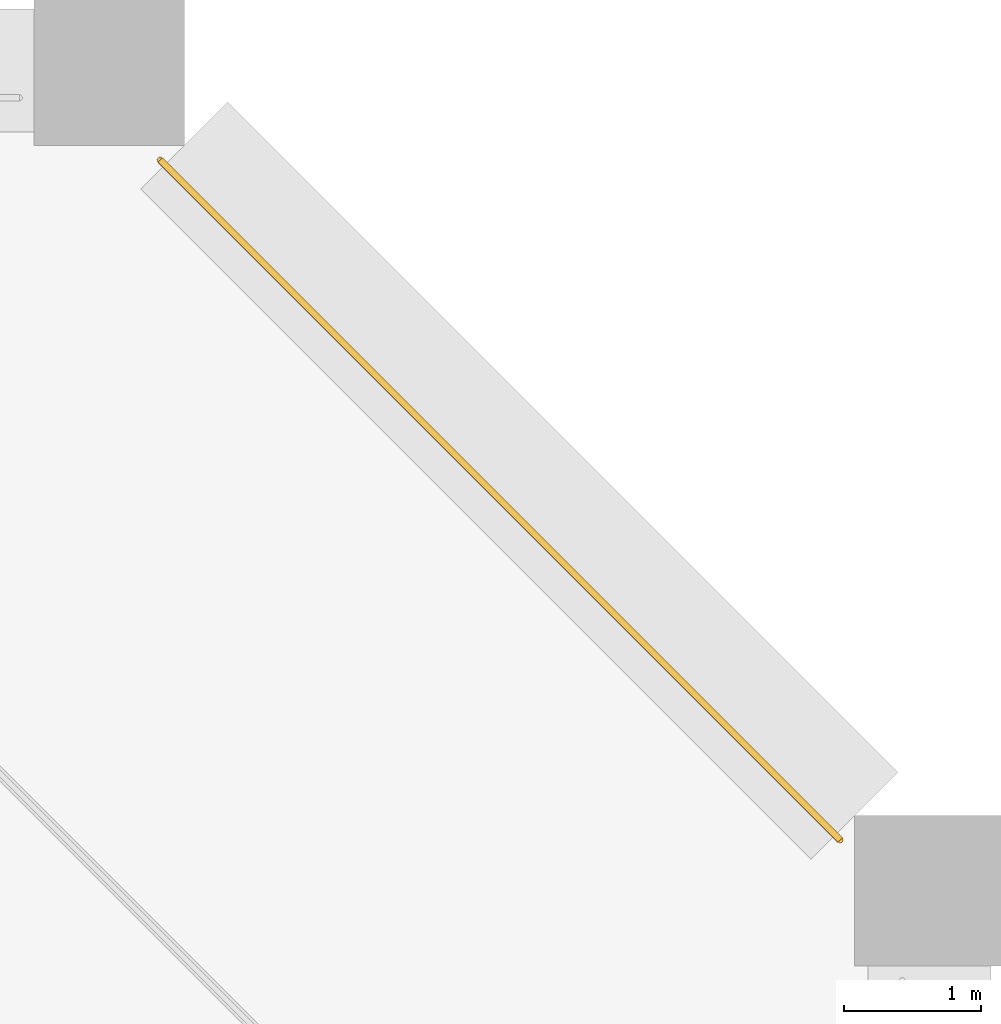
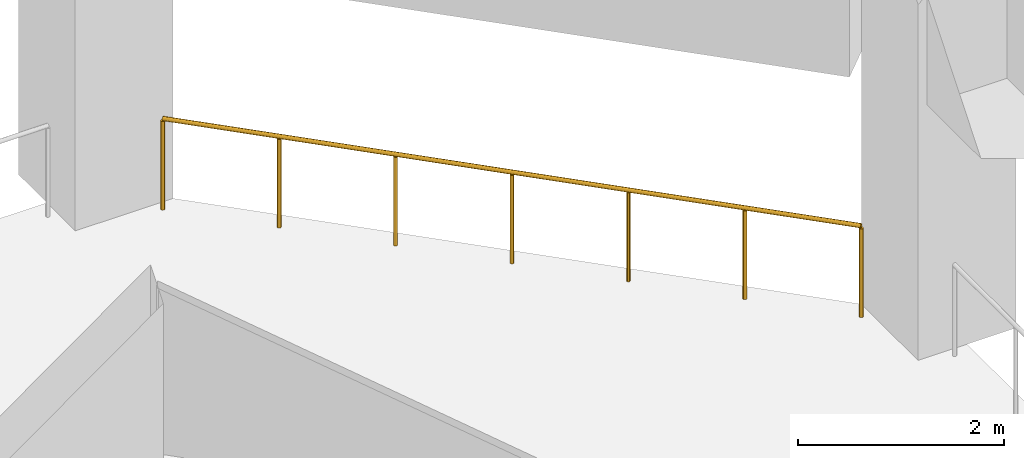
# One storey, part 19 of 19: 1 railing.
"""IFC4 building model written with IfcOpenShell, lengths in metres."""

from ifc_helpers import new_model, si_unit, direction, frame, origin, origin_2d, place, context, subcontext, project, spatial, circle, extrude, material, type_object, element, save


model = new_model("IFC4")

# Units and contexts
model_context = context("Model", 3, precision=1e-05, world=origin(), true_north=direction((0.0, 1.0)))
body_context = subcontext(model_context, "Body", "Model", "MODEL_VIEW")
ifc_project = project(units=[si_unit("LENGTHUNIT", "METRE"), si_unit("AREAUNIT", "SQUARE_METRE"), si_unit("VOLUMEUNIT", "CUBIC_METRE"), si_unit("PLANEANGLEUNIT", "RADIAN"), si_unit("MASSUNIT", "GRAM", prefix="KILO")], contexts=[model_context])

# Site, building, storey
site_placement = place(None, origin())
site = spatial("IfcSite", under=ifc_project, at=site_placement, CompositionType="ELEMENT")
building_placement = place(site_placement, origin())
building = spatial("IfcBuilding", under=site, at=building_placement, Name="Kawkab Arch Medical Tower", CompositionType="ELEMENT")
storey_placement = place(building_placement, frame((0.0, 0.0, 93.800048828125)))
storey = spatial("IfcBuildingStorey", under=building, at=storey_placement, Name="L21", CompositionType="ELEMENT", Elevation=93.800048828125)

# Railing
ifc_material = material(Name="Bronze anodised aluminium guard", Category="aluminium")
railing_type = type_object("IfcRailingType", Name="Loggia and terrace guard 1100", PredefinedType="GUARDRAIL", material=ifc_material)
railing_placement = place(storey_placement, frame((79.14501953125, -5.6279296875, 0.0)))
element("IfcRailing", 1, at=railing_placement, inside=storey, type_object=railing_type, Name="Guard L21.REF-01.1.23", PredefinedType="GUARDRAIL", context=body_context, shape_type="SweptSolid", body=[
    extrude(circle(Radius=0.02392578125, at=origin_2d()), frame((0.0, 0.0, 1.076171875), z_axis=(-0.707106781187, 0.707106781187, 0.0), x_axis=(-0.707106781187, -0.707106781187, 0.0)), (0.0, 0.0, 1.0), 7.03271484375),
    extrude(circle(Radius=0.02099609375, at=origin_2d()), origin(), (0.0, 0.0, 1.0), 1.052001953125),
    extrude(circle(Radius=0.02099609375, at=origin_2d()), frame((-0.828857421875, 0.828857421875, 0.0)), (0.0, 0.0, 1.0), 1.052001953125),
    extrude(circle(Radius=0.02099609375, at=origin_2d()), frame((-1.65771484375, 1.65771484375, 0.0)), (0.0, 0.0, 1.0), 1.052001953125),
    extrude(circle(Radius=0.02099609375, at=origin_2d()), frame((-2.486328125, 2.486328125, 0.0)), (0.0, 0.0, 1.0), 1.052001953125),
    extrude(circle(Radius=0.02099609375, at=origin_2d()), frame((-3.315185546875, 3.315185546875, 0.0)), (0.0, 0.0, 1.0), 1.052001953125),
    extrude(circle(Radius=0.02099609375, at=origin_2d()), frame((-4.14404296875, 4.14404296875, 0.0)), (0.0, 0.0, 1.0), 1.052001953125),
    extrude(circle(Radius=0.02099609375, at=origin_2d()), frame((-4.972900390625, 4.972900390625, 0.0)), (0.0, 0.0, 1.0), 1.052001953125),
])

save(model, "model.ifc")
